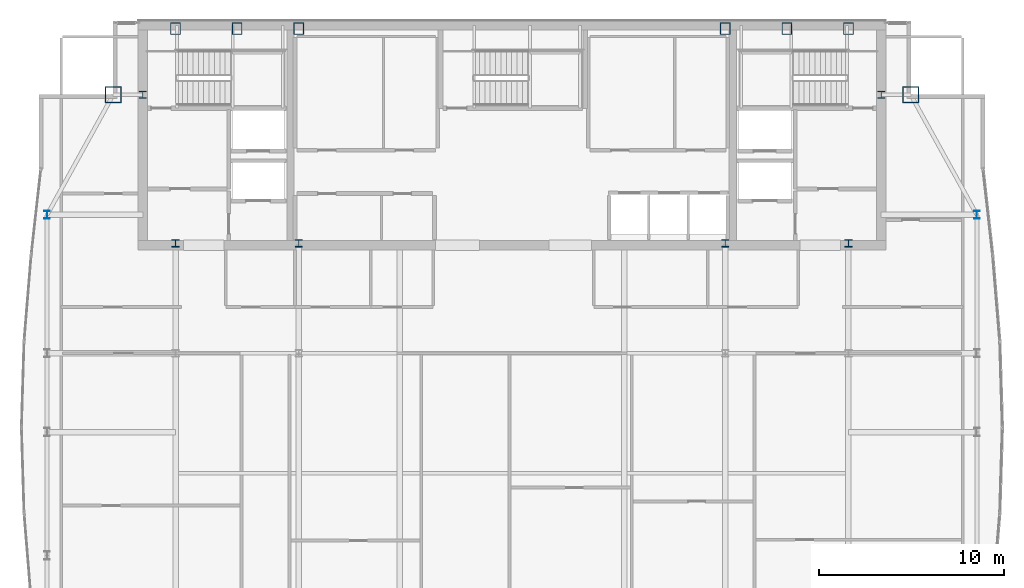
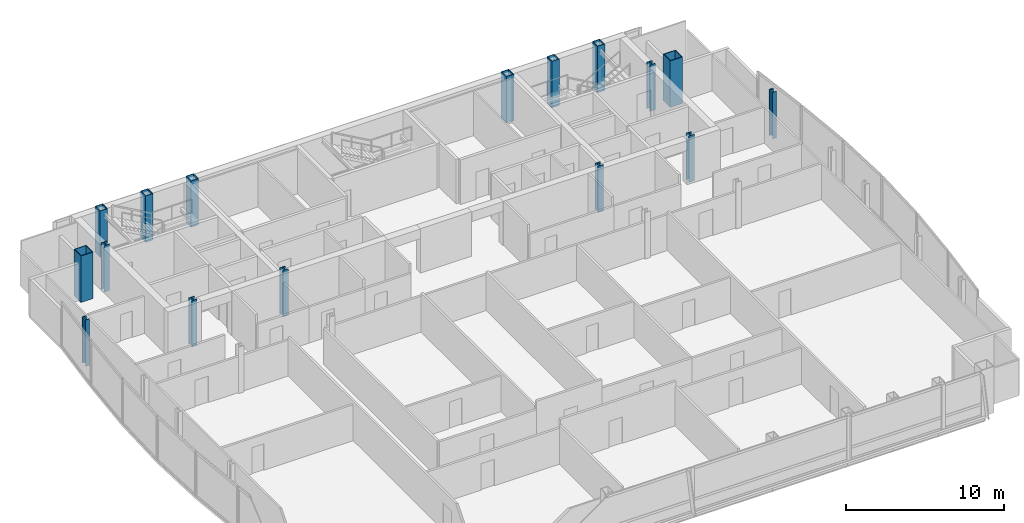
# One storey, part 3 of 25: 16 columns.
"""IFC4 building model written with IfcOpenShell, lengths in metres."""

import ifcopenshell
import ifcopenshell.guid

model = None  # the IFC model being written
_history = None  # IfcOwnerHistory: only IFC2X3 demands one
_inside = {}  # id of a spatial element -> (the spatial element, [elements in it])
_under = {}  # id of a project, library or spatial element -> (it, [spatial elements below it])
_declared = {}  # id of a project -> (the project, [libraries it declares])
_typed = {}  # id of a type object -> (the type object, [elements of that type])
_made_of = {}  # id of a material, layer set ... -> (it, [elements and type objects made of it])


def new_model(schema):
    """Start an empty IFC model of exactly this schema.

    Asked for "IFC4X3", IfcOpenShell would pick the latest addendum, in which some entities
    have other attributes; the version numbers below select the first issue.
    IFC2X3 requires an IfcOwnerHistory on every rooted entity: one is made here for all.
    """
    global model, _history
    if schema == "IFC4X3":
        model = ifcopenshell.file(schema_version=(4, 3, 0, 0))
    else:
        model = ifcopenshell.file(schema=schema)
    _inside.clear()
    _under.clear()
    _declared.clear()
    _typed.clear()
    _made_of.clear()
    _history = None
    if model.schema == "IFC2X3":
        org = make("IfcOrganization", Name="unknown")
        user = make(
            "IfcPersonAndOrganization",
            ThePerson=make("IfcPerson", FamilyName="unknown"),
            TheOrganization=org,
        )
        app = make(
            "IfcApplication",
            ApplicationDeveloper=org,
            Version="unknown",
            ApplicationFullName="unknown",
            ApplicationIdentifier="unknown",
        )
        _history = make(
            "IfcOwnerHistory",
            OwningUser=user,
            OwningApplication=app,
            ChangeAction="ADDED",
            CreationDate=0,
        )
    return model


def make(cls, **values):
    """One entity of the class cls with the attributes given. An attribute that is None is left unset."""
    return model.create_entity(
        cls, **{name: value for name, value in values.items() if value is not None}
    )


def rooted(cls, **values):
    """An entity with a GlobalId (a new one), such as an element, a storey or a relation."""
    return make(cls, GlobalId=ifcopenshell.guid.new(), OwnerHistory=_history, **values)


def si_unit(unit_type, name, prefix=None):
    """IfcSIUnit, for example si_unit("LENGTHUNIT", "METRE", prefix="MILLI")."""
    return make("IfcSIUnit", UnitType=unit_type, Prefix=prefix, Name=name)


def assignment(units):
    """IfcUnitAssignment: the units of a project."""
    return None if units is None else make("IfcUnitAssignment", Units=units)


def point(xyz):
    """IfcCartesianPoint."""
    return None if xyz is None else make("IfcCartesianPoint", Coordinates=xyz)


def direction(xyz):
    """IfcDirection."""
    return None if xyz is None else make("IfcDirection", DirectionRatios=xyz)


def frame(location, z_axis=None, x_axis=None):
    """IfcAxis2Placement3D, a coordinate frame: its origin and axes. An axis left out is left unset."""
    return make(
        "IfcAxis2Placement3D",
        Location=point(location),
        Axis=direction(z_axis),
        RefDirection=direction(x_axis),
    )


def frame_2d(location, x_axis=None):
    """IfcAxis2Placement2D, a coordinate frame in the plane: its origin and x axis."""
    return make(
        "IfcAxis2Placement2D", Location=point(location), RefDirection=direction(x_axis)
    )


def origin():
    """The frame at (0, 0, 0) with its axes left unset."""
    return frame((0.0, 0.0, 0.0))


def origin_2d():
    """The frame at (0, 0) in the plane with its x axis left unset."""
    return frame_2d((0.0, 0.0))


def place(relative_to, where):
    """IfcLocalPlacement: puts the frame where relative to a parent placement (None: the world)."""
    return make(
        "IfcLocalPlacement", PlacementRelTo=relative_to, RelativePlacement=where
    )


def context(
    kind, dimensions, precision=None, world=None, true_north=None, identifier=None
):
    """IfcGeometricRepresentationContext, for example the 3D "Model" context."""
    return make(
        "IfcGeometricRepresentationContext",
        ContextIdentifier=identifier,
        ContextType=kind,
        CoordinateSpaceDimension=dimensions,
        Precision=precision,
        WorldCoordinateSystem=world,
        TrueNorth=true_north,
    )


def subcontext(parent, identifier, kind, view, scale=None):
    """IfcGeometricRepresentationSubContext, for example "Body" below "Model"."""
    return make(
        "IfcGeometricRepresentationSubContext",
        ContextIdentifier=identifier,
        ContextType=kind,
        ParentContext=parent,
        TargetScale=scale,
        TargetView=view,
    )


def project(units=None, contexts=None):
    """IfcProject with its units and contexts."""
    return rooted(
        "IfcProject",
        Name="project",
        RepresentationContexts=contexts,
        UnitsInContext=assignment(units),
    )


def spatial(cls, under=None, at=None, **own):
    """A site, building, storey or space (cls), placed at a placement, below another one or the project."""
    s = rooted(cls, ObjectPlacement=at, **own)
    if under is not None:
        _under.setdefault(under.id(), (under, []))[1].append(s)
    return s


def profile(cls, at=None, kind="AREA", **sizes):
    """A parametric profile (cls). Its sizes go by their IFC names, for example OverallWidth=200.0."""
    return make(cls, ProfileType=kind, Position=at, **sizes)


def hollow_rectangle(**sizes):
    """IfcRectangleHollowProfileDef."""
    return profile("IfcRectangleHollowProfileDef", **sizes)


def i_section(**sizes):
    """IfcIShapeProfileDef."""
    return profile("IfcIShapeProfileDef", **sizes)


def extrude(swept, where, along, depth):
    """IfcExtrudedAreaSolid: the profile swept, set in the frame where, extruded along a direction by depth."""
    return make(
        "IfcExtrudedAreaSolid",
        SweptArea=swept,
        Position=where,
        ExtrudedDirection=direction(along),
        Depth=depth,
    )


def shape(context_of_items, identifier, shape_type, items):
    """IfcShapeRepresentation: the items that make up one representation, for example the "Body"."""
    return make(
        "IfcShapeRepresentation",
        ContextOfItems=context_of_items,
        RepresentationIdentifier=identifier,
        RepresentationType=shape_type,
        Items=items,
    )


def material(Name=None, Category=None):
    """IfcMaterial."""
    return make("IfcMaterial", Name=Name, Category=Category)


def material_profile(
    of_material, cross_section, Name=None, Category=None, Priority=None
):
    """IfcMaterialProfile: a cross section and its material."""
    return make(
        "IfcMaterialProfile",
        Name=Name,
        Material=of_material,
        Profile=cross_section,
        Priority=Priority,
        Category=Category,
    )


def profile_set(profiles, Name=None, composite=None):
    """IfcMaterialProfileSet."""
    return make(
        "IfcMaterialProfileSet",
        Name=Name,
        MaterialProfiles=profiles,
        CompositeProfile=composite,
    )


def made_of(thing, what):
    """Note that an element or type object is made of a material, layer set ...; save() writes the relation."""
    if what is not None:
        _made_of.setdefault(what.id(), (what, []))[1].append(thing)
    return thing


def type_object(cls, material=None, **own):
    """A type object (cls), such as IfcWallType, which elements share."""
    return made_of(rooted(cls, **own), material)


def element(
    cls,
    number,
    at=None,
    inside=None,
    cuts=None,
    type_object=None,
    material=None,
    context=None,
    identifier="Body",
    shape_type=None,
    held_by="IfcProductDefinitionShape",
    body=None,
    shapes=None,
    **own,
):
    """One element of the class cls, such as IfcWall. Its Tag is "e" and its number.

    at: its placement. inside: the storey or other place that contains it. cuts: it is an
    opening in that element (IfcRelVoidsElement). A single representation is given by context,
    identifier, shape_type and body (its items); several are given by shapes. held_by: the class
    of the entity that holds the representations. save() writes the other relations.
    """
    e = rooted(cls, Tag="e%d" % number, ObjectPlacement=at, **own)
    if body is not None:
        shapes = [shape(context, identifier, shape_type, body)]
    if shapes is not None:
        e.Representation = make(held_by, Representations=shapes)
    if inside is not None:
        _inside.setdefault(inside.id(), (inside, []))[1].append(e)
    if cuts is not None:
        rooted(
            "IfcRelVoidsElement", RelatingBuildingElement=cuts, RelatedOpeningElement=e
        )
    if type_object is not None:
        _typed.setdefault(type_object.id(), (type_object, []))[1].append(e)
    return made_of(e, material)


def aggregate(whole, parts):
    """IfcRelAggregates: a whole, such as a stair, and the parts it consists of."""
    return rooted("IfcRelAggregates", RelatingObject=whole, RelatedObjects=parts)


def save(model, path):
    """Write the relations noted so far, then the file.

    IfcRelAggregates (storeys below a building ...), IfcRelContainedInSpatialStructure (elements
    in a storey), IfcRelDefinesByType, IfcRelAssociatesMaterial and IfcRelDeclares: one each for
    every whole, place, type object, material and project.
    """
    for whole, parts in _under.values():
        aggregate(whole, parts)
    for where, things in _inside.values():
        rooted(
            "IfcRelContainedInSpatialStructure",
            RelatedElements=things,
            RelatingStructure=where,
        )
    for kind, things in _typed.values():
        rooted("IfcRelDefinesByType", RelatedObjects=things, RelatingType=kind)
    for what, things in _made_of.values():
        rooted("IfcRelAssociatesMaterial", RelatedObjects=things, RelatingMaterial=what)
    for by, libraries in _declared.values():
        rooted("IfcRelDeclares", RelatingContext=by, RelatedDefinitions=libraries)
    model.write(path)


model = new_model("IFC4")

# Units and contexts
model_context = context("Model", 3, precision=1e-05, world=origin(), true_north=direction((0.0, 1.0)))
body_context = subcontext(model_context, "Body", "Model", "MODEL_VIEW")
ifc_project = project(units=[si_unit("LENGTHUNIT", "METRE"), si_unit("AREAUNIT", "SQUARE_METRE"), si_unit("VOLUMEUNIT", "CUBIC_METRE"), si_unit("PLANEANGLEUNIT", "RADIAN"), si_unit("MASSUNIT", "GRAM", prefix="KILO")], contexts=[model_context])

# Site, building, storey
site_placement = place(None, origin())
site = spatial("IfcSite", under=ifc_project, at=site_placement, CompositionType="ELEMENT")
building_placement = place(site_placement, origin())
building = spatial("IfcBuilding", under=site, at=building_placement, Name="Khoronbel Lancet Exchange", CompositionType="ELEMENT")
storey_placement = place(building_placement, frame((0.0, 0.0, 295.0)))
storey = spatial("IfcBuildingStorey", under=building, at=storey_placement, Name="L76", CompositionType="ELEMENT", Elevation=295.0)

# Columns
ifc_material_1 = material(Name="Steel S460", Category="steel")
ifc_material_profile_1 = material_profile(ifc_material_1, hollow_rectangle(XDim=0.550048828125, YDim=0.64990234375, WallThickness=0.0400390625, at=origin_2d()), Name="BOX 650x550x40")
ifc_profile_set_1 = profile_set([ifc_material_profile_1], Name="Steel S460")
column_type_1 = type_object("IfcColumnType", Name="COL-EC4", PredefinedType="COLUMN", material=ifc_profile_set_1)
for number, where, z_axis, x_axis, name in (
    (1, (18.22509765625, 53.280029296875, 0.0), (0.0, 0.0, 1.0), (1.0, 0.0, 0.0), "Structural column NC-W1 L76"),
    (2, (21.5625, 53.280029296875, 0.0), (0.0, 0.0, 1.0), (1.0, 0.0, 0.0), "Structural column NC-WM L76"),
    (3, (24.89990234375, 53.280029296875, 0.0), (0.0, 0.0, 1.0), (1.0, 0.0, 0.0), "Structural column NC-W2 L76"),
    (4, (48.0, 53.280029296875, 0.0), (0.0, 0.0, 1.0), (1.0, 0.0, 0.0), "Structural column NC-E1 L76"),
    (5, (51.33740234375, 53.280029296875, 0.0), (0.0, 0.0, 1.0), (1.0, 0.0, 0.0), "Structural column NC-EM L76"),
    (6, (54.675048828125, 53.280029296875, 0.0), (0.0, 0.0, 1.0), (1.0, 0.0, 0.0), "Structural column NC-E2 L76"),
):
    element("IfcColumn", number, at=place(storey_placement, frame(where, z_axis=z_axis, x_axis=x_axis)), inside=storey, type_object=column_type_1, Name=name, PredefinedType="COLUMN", context=body_context, shape_type="SweptSolid", body=[
        extrude(hollow_rectangle(XDim=0.550048828125, YDim=0.64990234375, WallThickness=0.0400390625, at=origin_2d()), origin(), (0.0, 0.0, 1.0), 3.60009765625),
    ])
ifc_material_2 = material(Name="Steel S355", Category="steel")
ifc_material_profile_2 = material_profile(ifc_material_2, i_section(OverallWidth=0.39892578125, OverallDepth=0.39306640625, WebThickness=0.022705078125, FlangeThickness=0.03662109375, at=origin_2d()), Name="HD 400x287")
ifc_profile_set_2 = profile_set([ifc_material_profile_2], Name="Steel S355")
column_type_2 = type_object("IfcColumnType", Name="COL-IC4", PredefinedType="COLUMN", material=ifc_profile_set_2)
for number, where, z_axis, x_axis, name in (
    (7, (16.449951171875, 49.699951171875, 0.0), (0.0, 0.0, 1.0), (1.0, 0.0, 0.0), "Core-flank plumb transfer column CFW L76"),
    (8, (56.449951171875, 49.699951171875, 0.0), (0.0, 0.0, 1.0), (1.0, 0.0, 0.0), "Core-flank plumb transfer column CFE L76"),
    (9, (18.22509765625, 41.64990234375, 0.0), (0.0, 0.0, 1.0), (1.0, 0.0, 0.0), "Core-embedded steel column CTC1 L76"),
    (10, (24.89990234375, 41.64990234375, 0.0), (0.0, 0.0, 1.0), (1.0, 0.0, 0.0), "Core-embedded steel column CTC2 L76"),
    (11, (48.0, 41.64990234375, 0.0), (0.0, 0.0, 1.0), (1.0, 0.0, 0.0), "Core-embedded steel column CTC3 L76"),
    (12, (54.675048828125, 41.64990234375, 0.0), (0.0, 0.0, 1.0), (1.0, 0.0, 0.0), "Core-embedded steel column CTC4 L76"),
):
    element("IfcColumn", number, at=place(storey_placement, frame(where, z_axis=z_axis, x_axis=x_axis)), inside=storey, type_object=column_type_2, Name=name, PredefinedType="COLUMN", context=body_context, shape_type="SweptSolid", body=[
        extrude(i_section(OverallWidth=0.39892578125, OverallDepth=0.39306640625, WebThickness=0.022705078125, FlangeThickness=0.03662109375, at=origin_2d()), origin(), (0.0, 0.0, 1.0), 3.60009765625),
    ])
ifc_material_profile_3 = material_profile(ifc_material_2, i_section(OverallWidth=0.300048828125, OverallDepth=0.449951171875, WebThickness=0.013916015625, FlangeThickness=0.02587890625, at=origin_2d()), Name="HEB 450")
ifc_profile_set_3 = profile_set([ifc_material_profile_3], Name="Steel S355")
column_type_3 = type_object("IfcColumnType", Name="COL-LC2", PredefinedType="COLUMN", material=ifc_profile_set_3)
for number, where, z_axis, x_axis, name in (
    (13, (11.27001953125, 43.199951171875, 0.0), (0.0, 0.0, 1.0), (1.0, 0.0, 0.0), "Structural column WC-4 L76"),
    (14, (61.6298828125, 43.199951171875, 0.0), (0.0, 0.0, 1.0), (1.0, 0.0, 0.0), "Structural column EC-4 L76"),
):
    element("IfcColumn", number, at=place(storey_placement, frame(where, z_axis=z_axis, x_axis=x_axis)), inside=storey, type_object=column_type_3, Name=name, PredefinedType="COLUMN", context=body_context, shape_type="SweptSolid", body=[
        extrude(i_section(OverallWidth=0.300048828125, OverallDepth=0.449951171875, WebThickness=0.013916015625, FlangeThickness=0.02587890625, at=origin_2d()), origin(), (0.0, 0.0, 1.0), 3.60009765625),
    ])
ifc_material_profile_4 = material_profile(ifc_material_1, hollow_rectangle(XDim=0.89990234375, YDim=0.89990234375, WallThickness=0.050048828125, at=origin_2d()), Name="BOX 900x900x50")
ifc_profile_set_4 = profile_set([ifc_material_profile_4], Name="Steel S460")
column_type_4 = type_object("IfcColumnType", Name="COL-MC7", PredefinedType="COLUMN", material=ifc_profile_set_4)
for number, where, z_axis, x_axis, name in (
    (15, (58.050048828125, 49.699951171875, 0.0), (0.0, 0.0, 1.0), (1.0, 0.0, 0.0), "Structural column MC-NE L76"),
    (16, (14.85009765625, 49.699951171875, 0.0), (0.0, 0.0, 1.0), (1.0, 0.0, 0.0), "Structural column MC-NW L76"),
):
    element("IfcColumn", number, at=place(storey_placement, frame(where, z_axis=z_axis, x_axis=x_axis)), inside=storey, type_object=column_type_4, Name=name, PredefinedType="COLUMN", context=body_context, shape_type="SweptSolid", body=[
        extrude(hollow_rectangle(XDim=0.89990234375, YDim=0.89990234375, WallThickness=0.050048828125, at=origin_2d()), origin(), (0.0, 0.0, 1.0), 3.60009765625),
    ])

save(model, "model.ifc")
